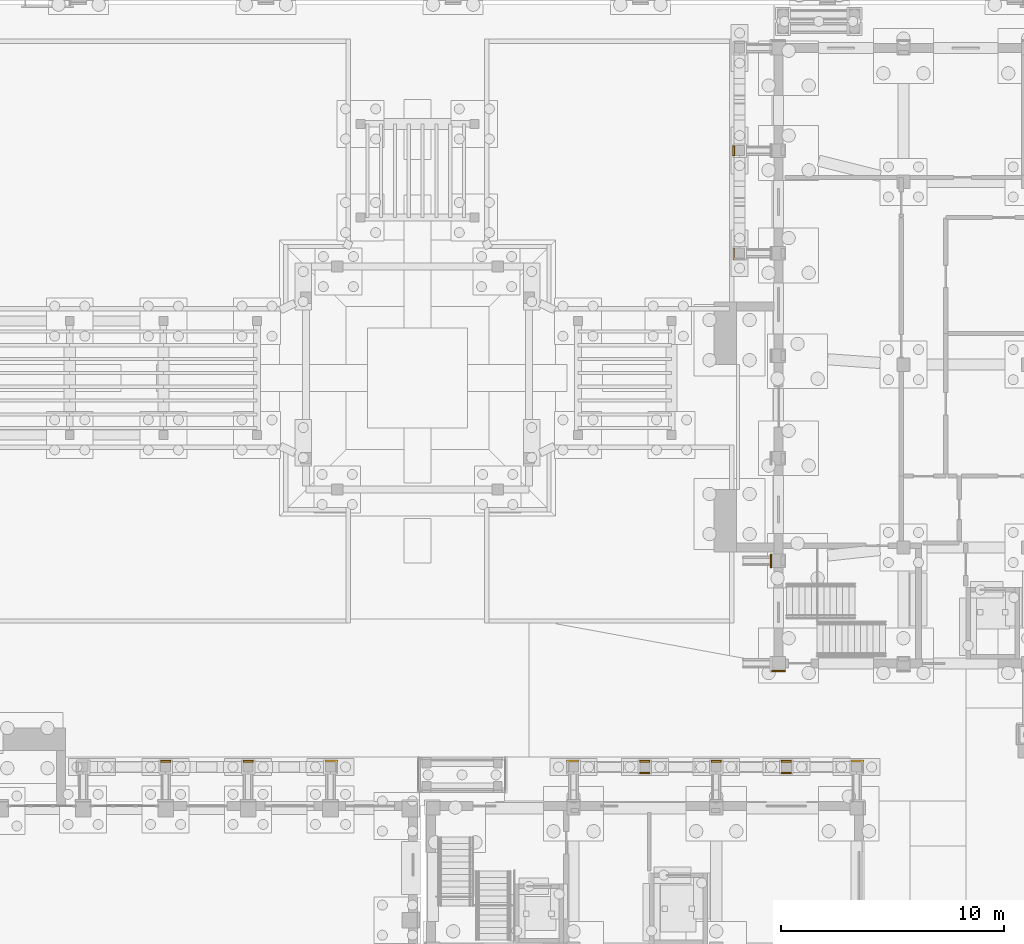
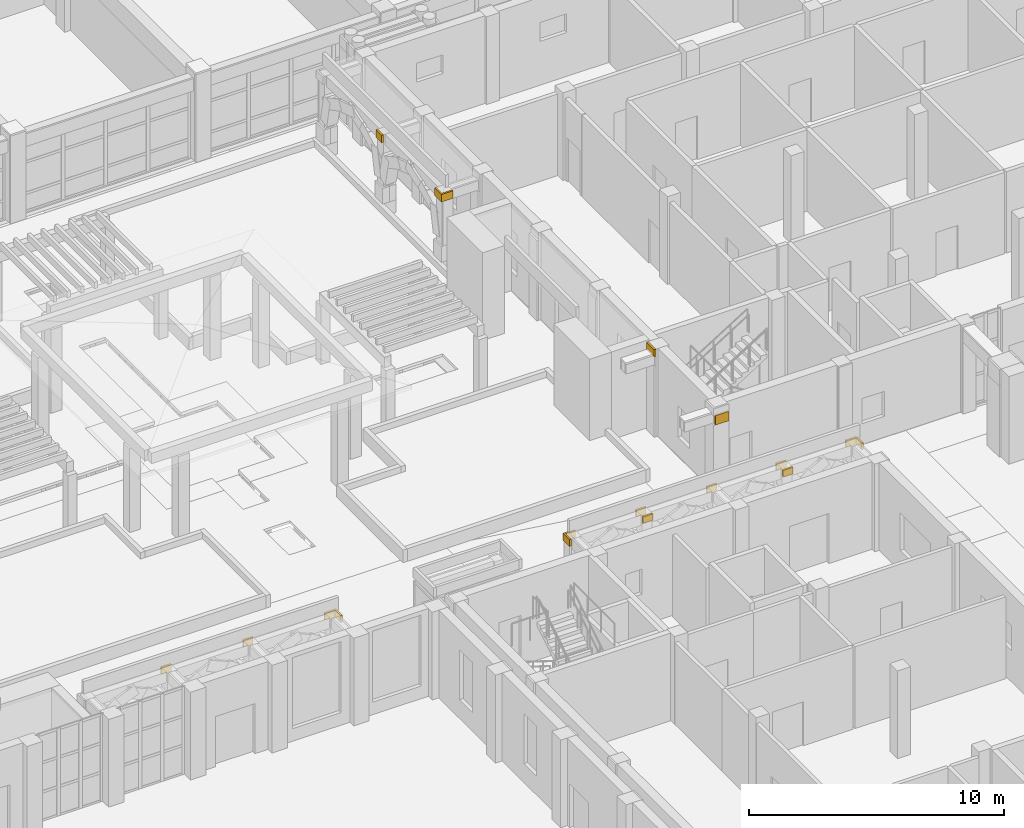
# One storey, part 108 of 112: 14 coverings.
"""IFC4 building model written with IfcOpenShell, lengths in metres."""

from ifc_helpers import new_model, si_unit, direction, frame, origin, place, context, subcontext, project, spatial, polyline, outline, extrude, material, layer, layer_set, type_object, element, save


model = new_model("IFC4")

# Units and contexts
model_context = context("Model", 3, precision=1e-05, world=origin(), true_north=direction((0.0, 1.0)))
body_context = subcontext(model_context, "Body", "Model", "MODEL_VIEW")
ifc_project = project(units=[si_unit("LENGTHUNIT", "METRE"), si_unit("AREAUNIT", "SQUARE_METRE"), si_unit("VOLUMEUNIT", "CUBIC_METRE"), si_unit("PLANEANGLEUNIT", "RADIAN"), si_unit("MASSUNIT", "GRAM", prefix="KILO")], contexts=[model_context])

# Site, building, storey
site_placement = place(None, origin())
site = spatial("IfcSite", under=ifc_project, at=site_placement, CompositionType="ELEMENT")
building_placement = place(site_placement, origin())
building = spatial("IfcBuilding", under=site, at=building_placement, Name="Wasatch Bagh Community Centre", CompositionType="ELEMENT")
storey_placement = place(building_placement, origin())
storey = spatial("IfcBuildingStorey", under=building, at=storey_placement, Name="L00", CompositionType="ELEMENT", Elevation=0.0)

# Coverings
ifc_material = material(Name="Cast stone cladding", Category="masonry")
ifc_layer = layer(ifc_material, 0.080078125)
ifc_layer_set = layer_set([ifc_layer], Name="Cast stone cladding")
covering_type = type_object("IfcCoveringType", Name="CL-C1 column facing", PredefinedType="CLADDING", material=ifc_layer_set)
covering_1_placement = place(storey_placement, frame((0.0, 0.0, 3.516357421875)))
element("IfcCovering", 1, at=covering_1_placement, inside=storey, type_object=covering_type, Name="Column facing", PredefinedType="CLADDING", context=body_context, shape_type="SweptSolid", body=[
    extrude(outline(polyline([(84.925048828125, 33.77490234375), (84.47509765625, 33.77490234375), (84.47509765625, 33.85498046875), (84.925048828125, 33.85498046875), (84.925048828125, 33.77490234375)])), origin(), (0.0, 0.0, 1.0), 0.333740234375),
])
covering_2_placement = place(storey_placement, frame((0.0, 0.0, 3.516357421875)))
element("IfcCovering", 2, at=covering_2_placement, inside=storey, type_object=covering_type, Name="Column facing", PredefinedType="CLADDING", context=body_context, shape_type="SweptSolid", body=[
    extrude(outline(polyline([(88.625, 33.77490234375), (88.175048828125, 33.77490234375), (88.175048828125, 33.85498046875), (88.625, 33.85498046875), (88.625, 33.77490234375)])), origin(), (0.0, 0.0, 1.0), 0.333740234375),
])
covering_3_placement = place(storey_placement, frame((0.0, 0.0, 3.516357421875)))
element("IfcCovering", 3, at=covering_3_placement, inside=storey, type_object=covering_type, Name="Column facing", PredefinedType="CLADDING", context=body_context, shape_type="SweptSolid", body=[
    extrude(outline(polyline([(92.324951171875, 33.77490234375), (91.875, 33.77490234375), (91.875, 33.85498046875), (92.324951171875, 33.85498046875), (92.405029296875, 33.85498046875), (92.405029296875, 33.324951171875), (92.324951171875, 33.324951171875), (92.324951171875, 33.77490234375)])), origin(), (0.0, 0.0, 1.0), 0.333740234375),
])
covering_4_placement = place(storey_placement, frame((0.0, 0.0, 3.532470703125)))
element("IfcCovering", 4, at=covering_4_placement, inside=storey, type_object=covering_type, Name="Column facing", PredefinedType="CLADDING", context=body_context, shape_type="SweptSolid", body=[
    extrude(outline(polyline([(102.77490234375, 33.324951171875), (102.695068359375, 33.324951171875), (102.695068359375, 33.85498046875), (102.77490234375, 33.85498046875), (103.22509765625, 33.85498046875), (103.22509765625, 33.77490234375), (102.77490234375, 33.77490234375), (102.77490234375, 33.324951171875)])), origin(), (0.0, 0.0, 1.0), 0.317626953125),
])
covering_5_placement = place(storey_placement, frame((0.0, 0.0, 3.532470703125)))
element("IfcCovering", 5, at=covering_5_placement, inside=storey, type_object=covering_type, Name="Column facing", PredefinedType="CLADDING", context=body_context, shape_type="SweptSolid", body=[
    extrude(outline(polyline([(105.97509765625, 33.77490234375), (105.97509765625, 33.85498046875), (106.425048828125, 33.85498046875), (106.425048828125, 33.77490234375), (105.97509765625, 33.77490234375)])), origin(), (0.0, 0.0, 1.0), 0.317626953125),
])
covering_6_placement = place(storey_placement, frame((0.0, 0.0, 3.532470703125)))
element("IfcCovering", 6, at=covering_6_placement, inside=storey, type_object=covering_type, Name="Column facing", PredefinedType="CLADDING", context=body_context, shape_type="SweptSolid", body=[
    extrude(outline(polyline([(106.425048828125, 33.324951171875), (106.425048828125, 33.2451171875), (105.97509765625, 33.2451171875), (105.97509765625, 33.324951171875), (106.425048828125, 33.324951171875)])), origin(), (0.0, 0.0, 1.0), 0.317626953125),
])
covering_7_placement = place(storey_placement, frame((0.0, 0.0, 3.5341796875)))
element("IfcCovering", 7, at=covering_7_placement, inside=storey, type_object=covering_type, Name="Column facing", PredefinedType="CLADDING", context=body_context, shape_type="SweptSolid", body=[
    extrude(outline(polyline([(109.625, 33.77490234375), (109.175048828125, 33.77490234375), (109.175048828125, 33.85498046875), (109.625, 33.85498046875), (109.625, 33.77490234375)])), origin(), (0.0, 0.0, 1.0), 0.31591796875),
])
covering_8_placement = place(storey_placement, frame((0.0, 0.0, 3.5341796875)))
element("IfcCovering", 8, at=covering_8_placement, inside=storey, type_object=covering_type, Name="Column facing", PredefinedType="CLADDING", context=body_context, shape_type="SweptSolid", body=[
    extrude(outline(polyline([(112.324951171875, 33.77490234375), (112.324951171875, 33.85498046875), (112.77490234375, 33.85498046875), (112.77490234375, 33.77490234375), (112.324951171875, 33.77490234375)])), origin(), (0.0, 0.0, 1.0), 0.31591796875),
])
covering_9_placement = place(storey_placement, frame((0.0, 0.0, 3.5341796875)))
element("IfcCovering", 9, at=covering_9_placement, inside=storey, type_object=covering_type, Name="Column facing", PredefinedType="CLADDING", context=body_context, shape_type="SweptSolid", body=[
    extrude(outline(polyline([(112.77490234375, 33.324951171875), (112.77490234375, 33.2451171875), (112.324951171875, 33.2451171875), (112.324951171875, 33.324951171875), (112.77490234375, 33.324951171875)])), origin(), (0.0, 0.0, 1.0), 0.31591796875),
])
covering_10_placement = place(storey_placement, frame((0.0, 0.0, 3.5341796875)))
element("IfcCovering", 10, at=covering_10_placement, inside=storey, type_object=covering_type, Name="Column facing", PredefinedType="CLADDING", context=body_context, shape_type="SweptSolid", body=[
    extrude(outline(polyline([(115.925048828125, 33.77490234375), (115.47509765625, 33.77490234375), (115.47509765625, 33.85498046875), (115.925048828125, 33.85498046875), (116.0048828125, 33.85498046875), (116.0048828125, 33.324951171875), (115.925048828125, 33.324951171875), (115.925048828125, 33.77490234375)])), origin(), (0.0, 0.0, 1.0), 0.31591796875),
])
covering_11_placement = place(storey_placement, frame((0.0, 0.0, 3.493408203125)))
element("IfcCovering", 11, at=covering_11_placement, inside=storey, type_object=covering_type, Name="Column facing", PredefinedType="CLADDING", context=body_context, shape_type="SweptSolid", body=[
    extrude(outline(polyline([(110.14501953125, 56.294921875), (110.14501953125, 56.824951171875), (110.22509765625, 56.824951171875), (110.22509765625, 56.375), (110.675048828125, 56.375), (110.675048828125, 56.294921875), (110.14501953125, 56.294921875)])), origin(), (0.0, 0.0, 1.0), 0.356689453125),
])
covering_12_placement = place(storey_placement, frame((0.0, 0.0, 3.493408203125)))
element("IfcCovering", 12, at=covering_12_placement, inside=storey, type_object=covering_type, Name="Column facing", PredefinedType="CLADDING", context=body_context, shape_type="SweptSolid", body=[
    extrude(outline(polyline([(110.22509765625, 61.425048828125), (110.22509765625, 60.97509765625), (110.14501953125, 60.97509765625), (110.14501953125, 61.425048828125), (110.22509765625, 61.425048828125)])), origin(), (0.0, 0.0, 1.0), 0.356689453125),
])
covering_13_placement = place(storey_placement, frame((0.0, 0.0, 3.39990234375)))
element("IfcCovering", 13, at=covering_13_placement, inside=storey, type_object=covering_type, Name="Column facing", PredefinedType="CLADDING", context=body_context, shape_type="SweptSolid", body=[
    extrude(outline(polyline([(111.89990234375, 37.89990234375), (112.5, 37.89990234375), (112.5, 37.820068359375), (111.89990234375, 37.820068359375), (111.89990234375, 37.89990234375)])), origin(), (0.0, 0.0, 1.0), 0.4501953125),
])
covering_14_placement = place(storey_placement, frame((0.0, 0.0, 3.85009765625)))
element("IfcCovering", 14, at=covering_14_placement, inside=storey, type_object=covering_type, Name="Column facing", PredefinedType="CLADDING", context=body_context, shape_type="SweptSolid", body=[
    extrude(outline(polyline([(111.89990234375, 43.10009765625), (111.89990234375, 42.5), (111.820068359375, 42.5), (111.820068359375, 43.10009765625), (111.89990234375, 43.10009765625)])), origin(), (0.0, 0.0, 1.0), 0.349853515625),
])

save(model, "model.ifc")
